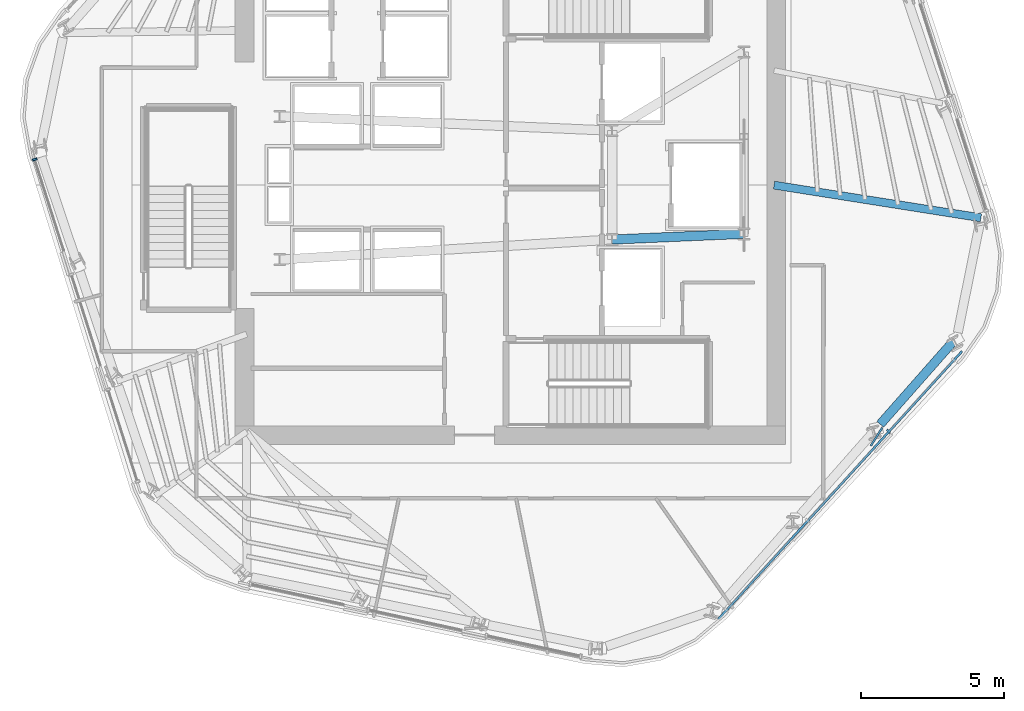
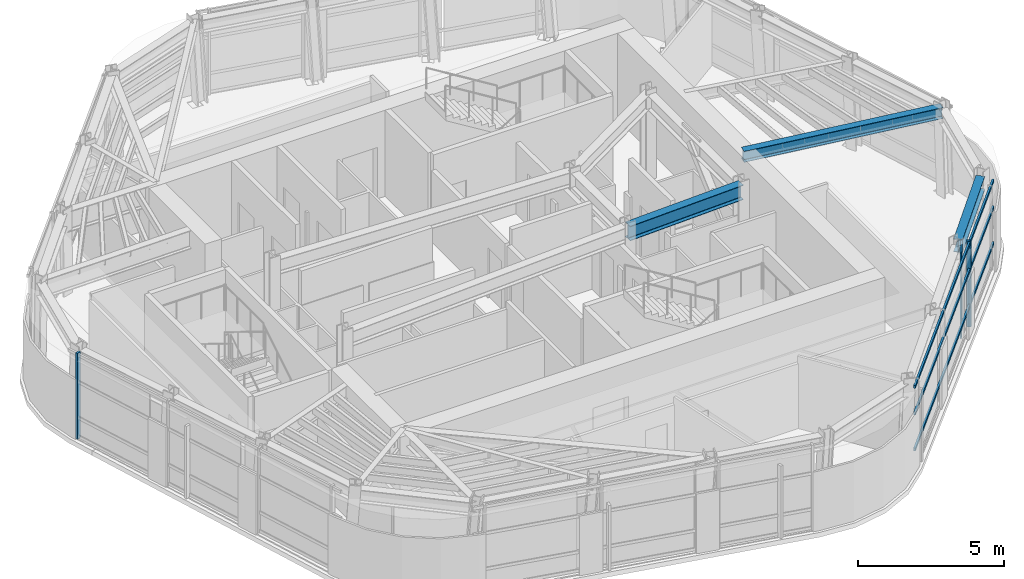
# One storey, part 3 of 13: 6 members, 3 beams, 2 elements without a shape of their own.
"""IFC4 building model written with IfcOpenShell, lengths in metres."""

from ifc_helpers import new_model, si_unit, direction, frame, origin, origin_2d, place, context, subcontext, project, spatial, rectangle, i_section, extrude, material, layer, layer_set, material_profile, profile_set, type_object, element, aggregate, save


model = new_model("IFC4")

# Units and contexts
model_context = context("Model", 3, precision=1e-05, world=origin(), true_north=direction((0.0, 1.0)))
body_context = subcontext(model_context, "Body", "Model", "MODEL_VIEW")
ifc_project = project(units=[si_unit("LENGTHUNIT", "METRE"), si_unit("AREAUNIT", "SQUARE_METRE"), si_unit("VOLUMEUNIT", "CUBIC_METRE"), si_unit("PLANEANGLEUNIT", "RADIAN"), si_unit("MASSUNIT", "GRAM", prefix="KILO")], contexts=[model_context])

# Site, building, storey
site_placement = place(None, origin())
site = spatial("IfcSite", under=ifc_project, at=site_placement, CompositionType="ELEMENT")
building_placement = place(site_placement, origin())
building = spatial("IfcBuilding", under=site, at=building_placement, Name="Valkerne Bourse Tower", CompositionType="ELEMENT")
storey_placement = place(building_placement, frame((0.0, 0.0, 228.39990234375)))
storey = spatial("IfcBuildingStorey", under=building, at=storey_placement, Name="L58", CompositionType="ELEMENT", Elevation=228.39990234375)

# Beams
ifc_material_1 = material(Name="Steel ASTM A992", Category="steel")
ifc_material_profile_1 = material_profile(ifc_material_1, i_section(OverallWidth=0.279296875, OverallDepth=0.46240234375, WebThickness=0.0107421875, FlangeThickness=0.017333984375, FilletRadius=0.017822265625, at=origin_2d()), Name="W18X76")
ifc_profile_set_1 = profile_set([ifc_material_profile_1], Name="Steel ASTM A992")
beam_type_1 = type_object("IfcBeamType", Name="BM-W18X76", PredefinedType="BEAM", material=ifc_profile_set_1)
beam_1_placement = place(storey_placement, frame((63.22021484375, 25.85986328125, 3.368896484375), z_axis=(-0.987760798771, 0.155976294389, 0.0), x_axis=(-0.155976294389, -0.987760798771, 0.0)))
element("IfcBeam", 1, at=beam_1_placement, inside=storey, type_object=beam_type_1, Name="L58 Radial Composite Floor Beam 20", PredefinedType="BEAM", context=body_context, shape_type="SweptSolid", body=[
    extrude(i_section(OverallWidth=0.279296875, OverallDepth=0.46240234375, WebThickness=0.0107421875, FlangeThickness=0.017333984375, FilletRadius=0.017822265625, at=origin_2d()), origin(), (0.0, 0.0, 1.0), 7.3095703125),
])
ifc_material_profile_2 = material_profile(ifc_material_1, i_section(OverallWidth=0.31494140625, OverallDepth=0.5537109375, WebThickness=0.0166015625, FlangeThickness=0.026123046875, FilletRadius=0.020263671875, at=origin_2d()), Name="W21X132")
ifc_profile_set_2 = profile_set([ifc_material_profile_2], Name="Steel ASTM A992")
beam_type_2 = type_object("IfcBeamType", Name="BM-W21X132", PredefinedType="BEAM", material=ifc_profile_set_2)
beam_2_placement = place(storey_placement, frame((59.705810546875, 18.656005859375, 3.3232421875), z_axis=(0.661325473971, 0.750099071774, 0.0), x_axis=(-0.750099071774, 0.661325473971, 0.0)))
element("IfcBeam", 2, at=beam_2_placement, inside=storey, type_object=beam_type_2, Name="L58 Hexagonal Spandrel Ring Beam 18", PredefinedType="BEAM", context=body_context, shape_type="SweptSolid", body=[
    extrude(i_section(OverallWidth=0.31494140625, OverallDepth=0.5537109375, WebThickness=0.0166015625, FlangeThickness=0.026123046875, FilletRadius=0.020263671875, at=origin_2d()), origin(), (0.0, 0.0, 1.0), 3.872314453125),
])
ifc_material_profile_3 = material_profile(ifc_material_1, i_section(OverallWidth=0.3251953125, OverallDepth=0.612060546875, WebThickness=0.0126953125, FlangeThickness=0.01904296875, FilletRadius=0.020263671875, at=origin_2d()), Name="W24X104")
ifc_profile_set_3 = profile_set([ifc_material_profile_3], Name="Steel ASTM A992")
beam_type_3 = type_object("IfcBeamType", Name="BM-W24X104", PredefinedType="BEAM", material=ifc_profile_set_3)
beam_3_placement = place(storey_placement, frame((50.35009765625, 25.10009765625, 3.294189453125), z_axis=(0.999056558506, 0.043428019819, 0.0), x_axis=(-0.043428019819, 0.999056558506, 0.0)))
element("IfcBeam", 3, at=beam_3_placement, inside=storey, type_object=beam_type_3, Name="L58 Core Frame Girder CG-SE", PredefinedType="BEAM", context=body_context, shape_type="SweptSolid", body=[
    extrude(i_section(OverallWidth=0.3251953125, OverallDepth=0.612060546875, WebThickness=0.0126953125, FlangeThickness=0.01904296875, FilletRadius=0.020263671875, at=origin_2d()), origin(), (0.0, 0.0, 1.0), 4.604248046875),
])

# Curtain wall, member
ifc_material_2 = material(Name="Aluminium AA 6063-T6", Category="aluminium")
ifc_layer = layer(ifc_material_2, 0.239990234375)
ifc_layer_set = layer_set([ifc_layer], Name="Aluminium AA 6063-T6")
curtain_wall_type = type_object("IfcCurtainWallType", Name="CW-04", PredefinedType="NOTDEFINED", material=ifc_layer_set)
curtain_wall_1_placement = place(storey_placement, origin())
curtain_wall_1 = element("IfcCurtainWall", 4, at=curtain_wall_1_placement, inside=storey, type_object=curtain_wall_type, Name="L58 Hexagonal Stick Curtain Wall Face 3", PredefinedType="NOTDEFINED")
ifc_material_profile_4 = material_profile(ifc_material_2, rectangle(XDim=0.074951171875, YDim=0.159912109375, at=origin_2d()), Name="CWM-75X160")
ifc_profile_set_4 = profile_set([ifc_material_profile_4], Name="Aluminium AA 6063-T6")
member_type_1 = type_object("IfcMemberType", Name="CW-MUL-160X75", PredefinedType="MULLION", material=ifc_profile_set_4)
member_1_placement = place(storey_placement, frame((30.20361328125, 27.89453125, 0.0), z_axis=(0.0, 0.0, 1.0), x_axis=(0.304014958903, -0.952667258157, 0.0)))
member_1 = element("IfcMember", 5, at=member_1_placement, type_object=member_type_1, Name="CW-L58-F3 Jamb Mullion 00A", PredefinedType="MULLION", context=body_context, shape_type="SweptSolid", body=[
    extrude(rectangle(XDim=0.074951171875, YDim=0.159912109375, at=origin_2d()), origin(), (0.0, 0.0, 1.0), 3.60009765625),
])
aggregate(curtain_wall_1, [member_1])

# Curtain wall, members
curtain_wall_2_placement = place(storey_placement, origin())
curtain_wall_2 = element("IfcCurtainWall", 6, at=curtain_wall_2_placement, inside=storey, type_object=curtain_wall_type, Name="L58 Hexagonal Stick Curtain Wall Face 5", PredefinedType="NOTDEFINED")
member_2_placement = place(storey_placement, frame((59.992919921875, 18.410400390625, 0.0), z_axis=(0.0, 0.0, 1.0), x_axis=(0.673024865933, 0.73961985495, 0.0)))
member_2 = element("IfcMember", 7, at=member_2_placement, type_object=member_type_1, Name="CW-L58-F5 Jamb Mullion 02A", PredefinedType="MULLION", context=body_context, shape_type="SweptSolid", body=[
    extrude(rectangle(XDim=0.074951171875, YDim=0.159912109375, at=origin_2d()), origin(), (0.0, 0.0, 1.0), 3.60009765625),
])
ifc_material_profile_5 = material_profile(ifc_material_2, rectangle(XDim=0.074951171875, YDim=0.1201171875, at=origin_2d()), Name="CWT-75X120")
ifc_profile_set_5 = profile_set([ifc_material_profile_5], Name="Aluminium AA 6063-T6")
member_type_2 = type_object("IfcMemberType", Name="CW-TRN-120X75", PredefinedType="USERDEFINED", material=ifc_profile_set_5)
member_3_placement = place(storey_placement, frame((54.0556640625, 11.855712890625, 0.900146484375), z_axis=(0.673012197714, 0.73963138233, 0.0), x_axis=(-0.73963138233, 0.673012197714, 0.0)))
member_3 = element("IfcMember", 8, at=member_3_placement, type_object=member_type_2, Name="CW-L58-F5 Continuous Face Transom 2", ObjectType="TRANSOM", PredefinedType="USERDEFINED", context=body_context, shape_type="SweptSolid", body=[
    extrude(rectangle(XDim=0.074951171875, YDim=0.1201171875, at=origin_2d()), origin(), (0.0, 0.0, 1.0), 12.635986328125),
])
member_4_placement = place(storey_placement, frame((54.0556640625, 11.855712890625, 2.400146484375), z_axis=(0.673012197714, 0.73963138233, 0.0), x_axis=(-0.73963138233, 0.673012197714, 0.0)))
member_4 = element("IfcMember", 9, at=member_4_placement, type_object=member_type_2, Name="CW-L58-F5 Continuous Face Transom 3", ObjectType="TRANSOM", PredefinedType="USERDEFINED", context=body_context, shape_type="SweptSolid", body=[
    extrude(rectangle(XDim=0.074951171875, YDim=0.1201171875, at=origin_2d()), origin(), (0.0, 0.0, 1.0), 12.635986328125),
])
member_5_placement = place(storey_placement, frame((54.0556640625, 11.855712890625, 3.52001953125), z_axis=(0.673012197714, 0.73963138233, 0.0), x_axis=(-0.73963138233, 0.673012197714, 0.0)))
member_5 = element("IfcMember", 10, at=member_5_placement, type_object=member_type_2, Name="CW-L58-F5 Continuous Face Transom 4", ObjectType="TRANSOM", PredefinedType="USERDEFINED", context=body_context, shape_type="SweptSolid", body=[
    extrude(rectangle(XDim=0.074951171875, YDim=0.1201171875, at=origin_2d()), origin(), (0.0, 0.0, 1.0), 12.635986328125),
])
aggregate(curtain_wall_2, [member_3, member_4, member_5, member_2])

# Member
ifc_material_3 = material(Name="Bronze Anodised Aluminium AA 6063-T6", Category="aluminium")
ifc_material_profile_6 = material_profile(ifc_material_3, rectangle(XDim=0.06494140625, YDim=0.75, at=origin_2d()), Name="FIN-65X750")
ifc_profile_set_6 = profile_set([ifc_material_profile_6], Name="Bronze Anodised Aluminium AA 6063-T6")
member_type_3 = type_object("IfcMemberType", Name="FIN-SOLAR-650", PredefinedType="USERDEFINED", material=ifc_profile_set_6)
member_6_placement = place(storey_placement, frame((59.5771484375, 18.220947265625, 0.004150390625), z_axis=(0.0, 0.0, 1.0), x_axis=(0.844798938552, -0.535083875127, 0.0)))
element("IfcMember", 11, at=member_6_placement, inside=storey, type_object=member_type_3, Name="L58 Bronze Anodised Solar Fin F5-02", ObjectType="SOLAR_FIN", PredefinedType="USERDEFINED", context=body_context, shape_type="SweptSolid", body=[
    extrude(rectangle(XDim=0.06494140625, YDim=0.75, at=origin_2d()), origin(), (0.0, 0.0, 1.0), 3.592041015625),
])

save(model, "model.ifc")
